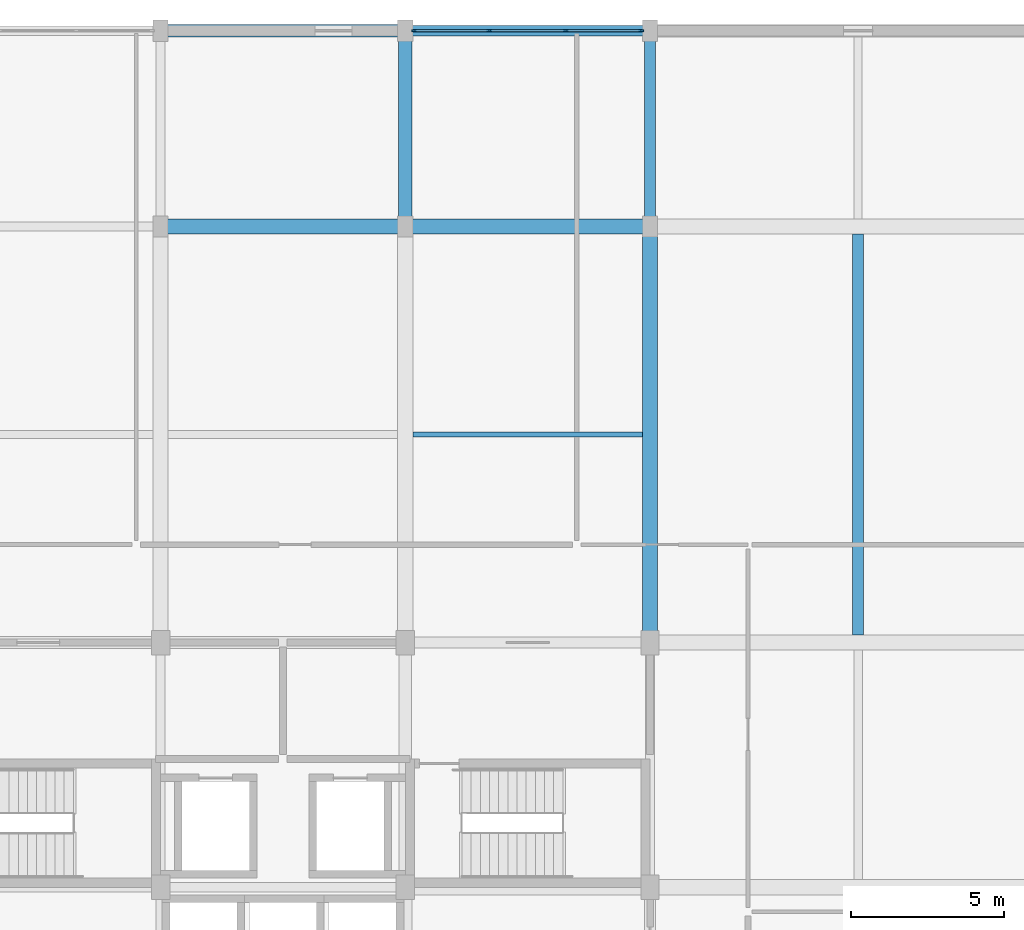
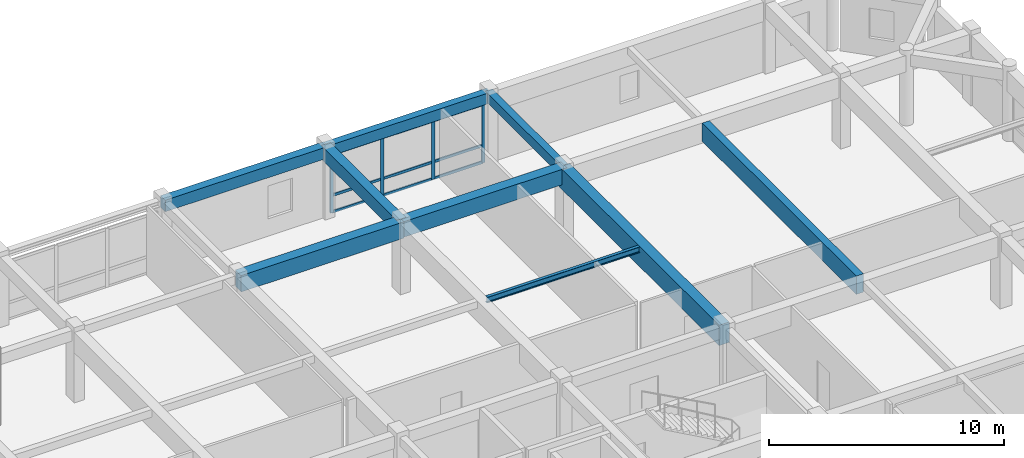
# One storey, part 6 of 13: 13 members, 9 beams, 1 element without a shape of its own.
"""IFC4 building model written with IfcOpenShell, lengths in metres."""

from ifc_helpers import new_model, si_unit, direction, frame, origin, origin_2d, place, context, subcontext, project, spatial, rectangle, i_section, extrude, material, material_profile, profile_set, type_object, element, aggregate, save


model = new_model("IFC4")

# Units and contexts
model_context = context("Model", 3, precision=1e-05, world=origin(), true_north=direction((0.0, 1.0)))
body_context = subcontext(model_context, "Body", "Model", "MODEL_VIEW")
ifc_project = project(units=[si_unit("LENGTHUNIT", "METRE"), si_unit("AREAUNIT", "SQUARE_METRE"), si_unit("VOLUMEUNIT", "CUBIC_METRE"), si_unit("PLANEANGLEUNIT", "RADIAN"), si_unit("MASSUNIT", "GRAM", prefix="KILO")], contexts=[model_context])

# Site, building, storey
site_placement = place(None, origin())
site = spatial("IfcSite", under=ifc_project, at=site_placement, CompositionType="ELEMENT")
building_placement = place(site_placement, origin())
building = spatial("IfcBuilding", under=site, at=building_placement, Name="Vellmiral Cinema and Media Centre", CompositionType="ELEMENT")
storey_placement = place(building_placement, frame((0.0, 0.0, 50.89990234375)))
storey = spatial("IfcBuildingStorey", under=building, at=storey_placement, Name="L12", CompositionType="ELEMENT", Elevation=50.89990234375)

# Beams
ifc_material_1 = material(Name="Concrete C40/50", Category="concrete")
ifc_material_profile_1 = material_profile(ifc_material_1, rectangle(XDim=0.35009765625, YDim=0.5, at=origin_2d()), Name="RC 350x500")
ifc_profile_set_1 = profile_set([ifc_material_profile_1], Name="Concrete C40/50")
beam_type_1 = type_object("IfcBeamType", Name="BM-RC-350x500", PredefinedType="BEAM", material=ifc_profile_set_1)
beam_1_placement = place(storey_placement, frame((148.0, 108.800048828125, 3.405029296875), z_axis=(0.0, 1.0, 0.0), x_axis=(-1.0, 0.0, 0.0)))
element("IfcBeam", 1, at=beam_1_placement, inside=storey, type_object=beam_type_1, Name="Grid Beam L12-Y060", PredefinedType="BEAM", context=body_context, shape_type="SweptSolid", body=[
    extrude(rectangle(XDim=0.35009765625, YDim=0.5, at=origin_2d()), origin(), (0.0, 0.0, 1.0), 6.39990234375),
])
ifc_material_2 = material(Name="Concrete C40/50", Category="concrete")
ifc_material_profile_2 = material_profile(ifc_material_2, rectangle(XDim=0.449951171875, YDim=0.699951171875, at=origin_2d()), Name="RC 450x700")
ifc_profile_set_2 = profile_set([ifc_material_profile_2], Name="Concrete C40/50")
beam_type_2 = type_object("IfcBeamType", Name="BM-RC-450x700", PredefinedType="BEAM", material=ifc_profile_set_2)
beam_2_placement = place(storey_placement, frame((140.0, 108.800048828125, 3.30517578125), z_axis=(0.0, 1.0, 0.0), x_axis=(-1.0, 0.0, 0.0)))
element("IfcBeam", 2, at=beam_2_placement, inside=storey, type_object=beam_type_2, Name="Grid Beam L12-Y055", PredefinedType="BEAM", context=body_context, shape_type="SweptSolid", body=[
    extrude(rectangle(XDim=0.449951171875, YDim=0.699951171875, at=origin_2d()), origin(), (0.0, 0.0, 1.0), 6.39990234375),
])
ifc_material_3 = material(Name="Concrete C40/50", Category="concrete")
ifc_material_profile_3 = material_profile(ifc_material_3, rectangle(XDim=0.5, YDim=0.800048828125, at=origin_2d()), Name="RC 500x800")
ifc_profile_set_3 = profile_set([ifc_material_profile_3], Name="Concrete C40/50")
beam_type_3 = type_object("IfcBeamType", Name="BM-RC-500x800", PredefinedType="BEAM", material=ifc_profile_set_3)
beam_3_placement = place(storey_placement, frame((140.0, 108.800048828125, 3.255126953125), z_axis=(1.0, 0.0, 0.0), x_axis=(0.0, 1.0, 0.0)))
element("IfcBeam", 3, at=beam_3_placement, inside=storey, type_object=beam_type_3, Name="Grid Beam L12-X028", PredefinedType="BEAM", context=body_context, shape_type="SweptSolid", body=[
    extrude(rectangle(XDim=0.5, YDim=0.800048828125, at=origin_2d()), origin(), (0.0, 0.0, 1.0), 8.0),
])
ifc_material_4 = material(Name="Concrete C40/50", Category="concrete")
ifc_material_profile_4 = material_profile(ifc_material_4, rectangle(XDim=0.5, YDim=0.85009765625, at=origin_2d()), Name="RC 500x850")
ifc_profile_set_4 = profile_set([ifc_material_profile_4], Name="Concrete C40/50")
beam_type_4 = type_object("IfcBeamType", Name="BM-RC-500x850", PredefinedType="BEAM", material=ifc_profile_set_4)
beam_4_placement = place(storey_placement, frame((132.0, 108.800048828125, 3.22998046875), z_axis=(1.0, 0.0, 0.0), x_axis=(0.0, 1.0, 0.0)))
element("IfcBeam", 4, at=beam_4_placement, inside=storey, type_object=beam_type_4, Name="Grid Beam L12-X027", PredefinedType="BEAM", context=body_context, shape_type="SweptSolid", body=[
    extrude(rectangle(XDim=0.5, YDim=0.85009765625, at=origin_2d()), origin(), (0.0, 0.0, 1.0), 8.0),
])
ifc_material_5 = material(Name="Concrete C40/50", Category="concrete")
ifc_material_profile_5 = material_profile(ifc_material_5, rectangle(XDim=0.5, YDim=1.050048828125, at=origin_2d()), Name="RC 500x1050")
ifc_profile_set_5 = profile_set([ifc_material_profile_5], Name="Concrete C40/50")
beam_type_5 = type_object("IfcBeamType", Name="BM-RCG-500x1050", PredefinedType="BEAM", material=ifc_profile_set_5)
beam_5_placement = place(storey_placement, frame((148.0, 95.199951171875, 3.130126953125), z_axis=(0.0, 1.0, 0.0), x_axis=(-1.0, 0.0, 0.0)))
element("IfcBeam", 5, at=beam_5_placement, inside=storey, type_object=beam_type_5, Name="Grid Beam L12-Y059", PredefinedType="BEAM", context=body_context, shape_type="SweptSolid", body=[
    extrude(rectangle(XDim=0.5, YDim=1.050048828125, at=origin_2d()), origin(), (0.0, 0.0, 1.0), 13.60009765625),
])

# Curtain wall, members
ifc_material_6 = material(Name="Thermally Broken Aluminium and Triple Glazing", Category="aluminium")
curtain_wall_type = type_object("IfcCurtainWallType", Name="CW-TOWER-MID-W", PredefinedType="USERDEFINED", material=ifc_material_6)
curtain_wall_placement = place(storey_placement, origin())
curtain_wall = element("IfcCurtainWall", 6, at=curtain_wall_placement, inside=storey, type_object=curtain_wall_type, Name="Curtain Wall L12-B019", ObjectType="UNITISED CURTAIN WALL", PredefinedType="USERDEFINED")
ifc_material_7 = material(Name="Thermally Broken Anodised Aluminium", Category="aluminium")
ifc_material_profile_6 = material_profile(ifc_material_7, rectangle(XDim=0.06494140625, YDim=0.159912109375, at=origin_2d()), Name="MULL 65x160")
ifc_profile_set_6 = profile_set([ifc_material_profile_6], Name="Thermally Broken Anodised Aluminium")
member_type_1 = type_object("IfcMemberType", Name="CWM-65x160", PredefinedType="MULLION", material=ifc_profile_set_6)
member_1_placement = place(storey_placement, frame((147.717529296875, 115.199951171875, 0.0), z_axis=(0.0, 0.0, 1.0), x_axis=(0.0, -1.0, 0.0)))
member_1 = element("IfcMember", 7, at=member_1_placement, type_object=member_type_1, Name="CW-08 mullion 1", PredefinedType="MULLION", context=body_context, shape_type="SweptSolid", body=[
    extrude(rectangle(XDim=0.06494140625, YDim=0.159912109375, at=origin_2d()), origin(), (0.0, 0.0, 1.0), 3.06005859375),
])
member_2_placement = place(storey_placement, frame((145.25, 115.199951171875, 0.0), z_axis=(0.0, 0.0, 1.0), x_axis=(0.0, -1.0, 0.0)))
member_2 = element("IfcMember", 8, at=member_2_placement, type_object=member_type_1, Name="CW-08 mullion 2", PredefinedType="MULLION", context=body_context, shape_type="SweptSolid", body=[
    extrude(rectangle(XDim=0.06494140625, YDim=0.159912109375, at=origin_2d()), origin(), (0.0, 0.0, 1.0), 3.06005859375),
])
member_3_placement = place(storey_placement, frame((142.75, 115.199951171875, 0.0), z_axis=(0.0, 0.0, 1.0), x_axis=(0.0, -1.0, 0.0)))
member_3 = element("IfcMember", 9, at=member_3_placement, type_object=member_type_1, Name="CW-08 mullion 3", PredefinedType="MULLION", context=body_context, shape_type="SweptSolid", body=[
    extrude(rectangle(XDim=0.06494140625, YDim=0.159912109375, at=origin_2d()), origin(), (0.0, 0.0, 1.0), 3.06005859375),
])
member_4_placement = place(storey_placement, frame((140.282470703125, 115.199951171875, 0.0), z_axis=(0.0, 0.0, 1.0), x_axis=(0.0, -1.0, 0.0)))
member_4 = element("IfcMember", 10, at=member_4_placement, type_object=member_type_1, Name="CW-08 mullion 4", PredefinedType="MULLION", context=body_context, shape_type="SweptSolid", body=[
    extrude(rectangle(XDim=0.06494140625, YDim=0.159912109375, at=origin_2d()), origin(), (0.0, 0.0, 1.0), 3.06005859375),
])
ifc_material_8 = material(Name="Thermally Broken Anodised Aluminium", Category="aluminium")
ifc_material_profile_7 = material_profile(ifc_material_8, rectangle(XDim=0.06494140625, YDim=0.135009765625, at=origin_2d()), Name="MULL 65x135")
ifc_profile_set_7 = profile_set([ifc_material_profile_7], Name="Thermally Broken Anodised Aluminium")
member_type_2 = type_object("IfcMemberType", Name="CWT-65x135", PredefinedType="USERDEFINED", material=ifc_profile_set_7)
member_5_placement = place(storey_placement, frame((147.68505859375, 115.199951171875, 0.03271484375), z_axis=(-1.0, 0.0, 0.0), x_axis=(0.0, -1.0, 0.0)))
member_5 = element("IfcMember", 11, at=member_5_placement, type_object=member_type_2, Name="CW-08 transom 1.1", ObjectType="TRANSOM", PredefinedType="USERDEFINED", context=body_context, shape_type="SweptSolid", body=[
    extrude(rectangle(XDim=0.06494140625, YDim=0.135009765625, at=origin_2d()), origin(), (0.0, 0.0, 1.0), 2.402587890625),
])
member_6_placement = place(storey_placement, frame((147.68505859375, 115.199951171875, 0.900146484375), z_axis=(-1.0, 0.0, 0.0), x_axis=(0.0, -1.0, 0.0)))
member_6 = element("IfcMember", 12, at=member_6_placement, type_object=member_type_2, Name="CW-08 transom 1.2", ObjectType="TRANSOM", PredefinedType="USERDEFINED", context=body_context, shape_type="SweptSolid", body=[
    extrude(rectangle(XDim=0.06494140625, YDim=0.135009765625, at=origin_2d()), origin(), (0.0, 0.0, 1.0), 2.402587890625),
])
member_7_placement = place(storey_placement, frame((147.68505859375, 115.199951171875, 3.027587890625), z_axis=(-1.0, 0.0, 0.0), x_axis=(0.0, -1.0, 0.0)))
member_7 = element("IfcMember", 13, at=member_7_placement, type_object=member_type_2, Name="CW-08 transom 1.3", ObjectType="TRANSOM", PredefinedType="USERDEFINED", context=body_context, shape_type="SweptSolid", body=[
    extrude(rectangle(XDim=0.06494140625, YDim=0.135009765625, at=origin_2d()), origin(), (0.0, 0.0, 1.0), 2.402587890625),
])
member_8_placement = place(storey_placement, frame((145.217529296875, 115.199951171875, 0.03271484375), z_axis=(-1.0, 0.0, 0.0), x_axis=(0.0, -1.0, 0.0)))
member_8 = element("IfcMember", 14, at=member_8_placement, type_object=member_type_2, Name="CW-08 transom 2.1", ObjectType="TRANSOM", PredefinedType="USERDEFINED", context=body_context, shape_type="SweptSolid", body=[
    extrude(rectangle(XDim=0.06494140625, YDim=0.135009765625, at=origin_2d()), origin(), (0.0, 0.0, 1.0), 2.43505859375),
])
member_9_placement = place(storey_placement, frame((145.217529296875, 115.199951171875, 0.900146484375), z_axis=(-1.0, 0.0, 0.0), x_axis=(0.0, -1.0, 0.0)))
member_9 = element("IfcMember", 15, at=member_9_placement, type_object=member_type_2, Name="CW-08 transom 2.2", ObjectType="TRANSOM", PredefinedType="USERDEFINED", context=body_context, shape_type="SweptSolid", body=[
    extrude(rectangle(XDim=0.06494140625, YDim=0.135009765625, at=origin_2d()), origin(), (0.0, 0.0, 1.0), 2.43505859375),
])
member_10_placement = place(storey_placement, frame((145.217529296875, 115.199951171875, 3.027587890625), z_axis=(-1.0, 0.0, 0.0), x_axis=(0.0, -1.0, 0.0)))
member_10 = element("IfcMember", 16, at=member_10_placement, type_object=member_type_2, Name="CW-08 transom 2.3", ObjectType="TRANSOM", PredefinedType="USERDEFINED", context=body_context, shape_type="SweptSolid", body=[
    extrude(rectangle(XDim=0.06494140625, YDim=0.135009765625, at=origin_2d()), origin(), (0.0, 0.0, 1.0), 2.43505859375),
])
member_11_placement = place(storey_placement, frame((142.717529296875, 115.199951171875, 0.03271484375), z_axis=(-1.0, 0.0, 0.0), x_axis=(0.0, -1.0, 0.0)))
member_11 = element("IfcMember", 17, at=member_11_placement, type_object=member_type_2, Name="CW-08 transom 3.1", ObjectType="TRANSOM", PredefinedType="USERDEFINED", context=body_context, shape_type="SweptSolid", body=[
    extrude(rectangle(XDim=0.06494140625, YDim=0.135009765625, at=origin_2d()), origin(), (0.0, 0.0, 1.0), 2.402587890625),
])
member_12_placement = place(storey_placement, frame((142.717529296875, 115.199951171875, 0.900146484375), z_axis=(-1.0, 0.0, 0.0), x_axis=(0.0, -1.0, 0.0)))
member_12 = element("IfcMember", 18, at=member_12_placement, type_object=member_type_2, Name="CW-08 transom 3.2", ObjectType="TRANSOM", PredefinedType="USERDEFINED", context=body_context, shape_type="SweptSolid", body=[
    extrude(rectangle(XDim=0.06494140625, YDim=0.135009765625, at=origin_2d()), origin(), (0.0, 0.0, 1.0), 2.402587890625),
])
member_13_placement = place(storey_placement, frame((142.717529296875, 115.199951171875, 3.027587890625), z_axis=(-1.0, 0.0, 0.0), x_axis=(0.0, -1.0, 0.0)))
member_13 = element("IfcMember", 19, at=member_13_placement, type_object=member_type_2, Name="CW-08 transom 3.3", ObjectType="TRANSOM", PredefinedType="USERDEFINED", context=body_context, shape_type="SweptSolid", body=[
    extrude(rectangle(XDim=0.06494140625, YDim=0.135009765625, at=origin_2d()), origin(), (0.0, 0.0, 1.0), 2.402587890625),
])
aggregate(curtain_wall, [member_1, member_2, member_3, member_4, member_5, member_6, member_7, member_8, member_9, member_10, member_11, member_12, member_13])

# Beams
ifc_material_9 = material(Name="Concrete C40/50", Category="concrete")
ifc_material_profile_8 = material_profile(ifc_material_9, rectangle(XDim=0.35009765625, YDim=0.949951171875, at=origin_2d()), Name="RC 350x950")
ifc_profile_set_8 = profile_set([ifc_material_profile_8], Name="Concrete C40/50")
beam_type_6 = type_object("IfcBeamType", Name="JST-RCG-350x950", PredefinedType="JOIST", material=ifc_profile_set_8)
beam_6_placement = place(storey_placement, frame((154.800048828125, 95.449951171875, 3.18017578125), z_axis=(0.0, 1.0, 0.0), x_axis=(-1.0, 0.0, 0.0)))
element("IfcBeam", 20, at=beam_6_placement, inside=storey, type_object=beam_type_6, Name="Secondary Floor Joist L12-008", PredefinedType="JOIST", context=body_context, shape_type="SweptSolid", body=[
    extrude(rectangle(XDim=0.35009765625, YDim=0.949951171875, at=origin_2d()), origin(), (0.0, 0.0, 1.0), 13.10009765625),
])
ifc_material_10 = material(Name="Steel S355", Category="steel")
ifc_material_profile_9 = material_profile(ifc_material_10, i_section(OverallWidth=0.14990234375, OverallDepth=0.300048828125, WebThickness=0.007080078125, FlangeThickness=0.0107421875, FilletRadius=0.014892578125, at=origin_2d()), Name="IPE 300")
ifc_profile_set_9 = profile_set([ifc_material_profile_9], Name="Steel S355")
beam_type_7 = type_object("IfcBeamType", Name="SBM-IPE300", PredefinedType="JOIST", material=ifc_profile_set_9)
beam_7_placement = place(storey_placement, frame((140.25, 102.0, 3.505126953125), z_axis=(1.0, 0.0, 0.0), x_axis=(0.0, 1.0, 0.0)))
element("IfcBeam", 21, at=beam_7_placement, inside=storey, type_object=beam_type_7, Name="Secondary Floor Joist L12-004", PredefinedType="JOIST", context=body_context, shape_type="SweptSolid", body=[
    extrude(i_section(OverallWidth=0.14990234375, OverallDepth=0.300048828125, WebThickness=0.007080078125, FlangeThickness=0.0107421875, FilletRadius=0.014892578125, at=origin_2d()), origin(), (0.0, 0.0, 1.0), 7.5),
])
ifc_material_11 = material(Name="Concrete C40/50", Category="concrete")
ifc_material_profile_10 = material_profile(ifc_material_11, rectangle(XDim=0.35009765625, YDim=0.56005859375, at=origin_2d()), Name="RC 350x560")
ifc_profile_set_10 = profile_set([ifc_material_profile_10], Name="Concrete C40/50")
beam_type_8 = type_object("IfcBeamType", Name="SPD-RC-350x560", PredefinedType="SPANDREL", material=ifc_profile_set_10)
beam_8_placement = place(storey_placement, frame((140.0, 115.199951171875, 3.375), z_axis=(1.0, 0.0, 0.0), x_axis=(0.0, 1.0, 0.0)))
element("IfcBeam", 22, at=beam_8_placement, inside=storey, type_object=beam_type_8, Name="Grid Beam L12-X034", PredefinedType="SPANDREL", context=body_context, shape_type="SweptSolid", body=[
    extrude(rectangle(XDim=0.35009765625, YDim=0.56005859375, at=origin_2d()), origin(), (0.0, 0.0, 1.0), 8.0),
])
ifc_material_12 = material(Name="Concrete C40/50", Category="concrete")
ifc_material_profile_11 = material_profile(ifc_material_12, rectangle(XDim=0.39990234375, YDim=0.60009765625, at=origin_2d()), Name="RC 400x600")
ifc_profile_set_11 = profile_set([ifc_material_profile_11], Name="Concrete C40/50")
beam_type_9 = type_object("IfcBeamType", Name="SPD-RC-400x600", PredefinedType="SPANDREL", material=ifc_profile_set_11)
beam_9_placement = place(storey_placement, frame((132.0, 115.199951171875, 3.35498046875), z_axis=(1.0, 0.0, 0.0), x_axis=(0.0, 1.0, 0.0)))
element("IfcBeam", 23, at=beam_9_placement, inside=storey, type_object=beam_type_9, Name="Grid Beam L12-X033", PredefinedType="SPANDREL", context=body_context, shape_type="SweptSolid", body=[
    extrude(rectangle(XDim=0.39990234375, YDim=0.60009765625, at=origin_2d()), origin(), (0.0, 0.0, 1.0), 8.0),
])

save(model, "model.ifc")
